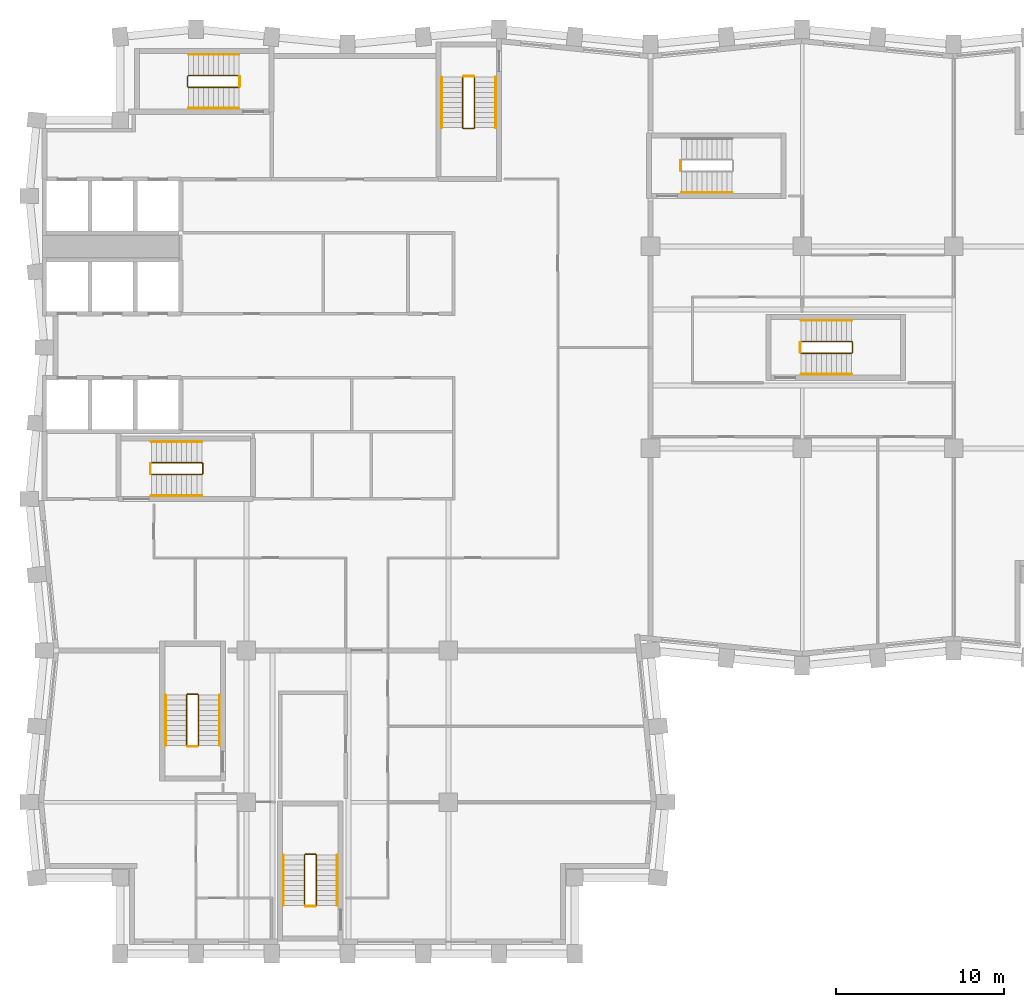
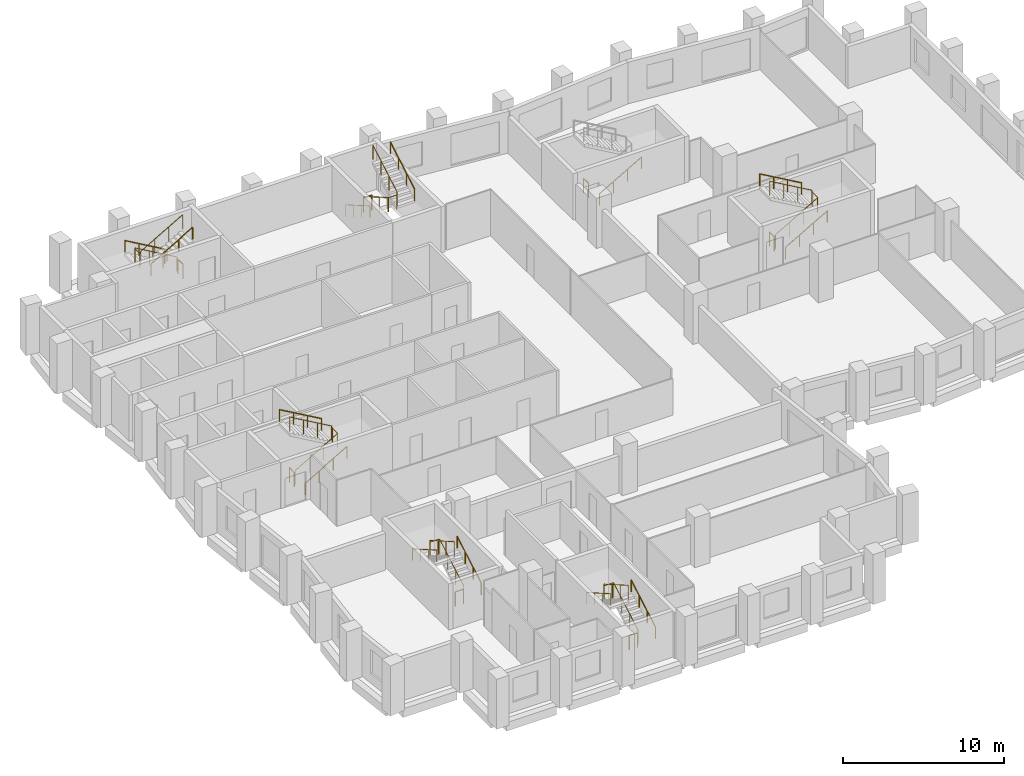
# One storey, part 9 of 10: 26 railings.
"""IFC4 building model written with IfcOpenShell, lengths in metres."""

from ifc_helpers import new_model, si_unit, direction, frame, origin, origin_2d, place, context, subcontext, project, spatial, circle, extrude, material, type_object, element, save


model = new_model("IFC4")

# Units and contexts
model_context = context("Model", 3, precision=1e-05, world=origin(), true_north=direction((0.0, 1.0)))
body_context = subcontext(model_context, "Body", "Model", "MODEL_VIEW")
ifc_project = project(units=[si_unit("LENGTHUNIT", "METRE"), si_unit("AREAUNIT", "SQUARE_METRE"), si_unit("VOLUMEUNIT", "CUBIC_METRE"), si_unit("PLANEANGLEUNIT", "RADIAN"), si_unit("MASSUNIT", "GRAM", prefix="KILO")], contexts=[model_context])

# Site, building, storey
site_placement = place(None, origin())
site = spatial("IfcSite", under=ifc_project, at=site_placement, CompositionType="ELEMENT")
building_placement = place(site_placement, origin())
building = spatial("IfcBuilding", under=site, at=building_placement, Name="Brondeck Convention Tower", CompositionType="ELEMENT")
storey_placement = place(building_placement, frame((0.0, 0.0, 158.60009765625)))
storey = spatial("IfcBuildingStorey", under=building, at=storey_placement, Name="L38", CompositionType="ELEMENT", Elevation=158.60009765625)

# Railings
ifc_material = material(Name="Steel S355", Category="steel")
railing_type_1 = type_object("IfcRailingType", Name="Stair guard 1100", PredefinedType="GUARDRAIL", material=ifc_material)
railing_1_placement = place(storey_placement, frame((6.35009765625, 37.449951171875, 0.172607421875)))
element("IfcRailing", 1, at=railing_1_placement, inside=storey, type_object=railing_type_1, Name="L38 ST-1 stair guard 1", PredefinedType="GUARDRAIL", context=body_context, shape_type="SweptSolid", body=[
    extrude(circle(Radius=0.02392578125, at=origin_2d()), frame((0.0, 0.0, 1.076171875), z_axis=(0.866619684472, 0.0, 0.498969260062), x_axis=(0.0, 1.0, 0.0)), (0.0, 0.0, 1.0), 3.461669921875),
    extrude(circle(Radius=0.02392578125, at=origin_2d()), frame((3.0, 0.0, 2.80322265625), z_axis=(0.705375805398, 0.708833529934, 0.0), x_axis=(-0.708833529934, 0.705375805398, 0.0)), (0.0, 0.0, 1.0), 0.070556640625),
    extrude(circle(Radius=0.02392578125, at=origin_2d()), frame((3.0498046875, 0.050048828125, 2.80322265625), z_axis=(0.0, 1.0, 0.0), x_axis=(-1.0, 0.0, 0.0)), (0.0, 0.0, 1.0), 0.60009765625),
    extrude(circle(Radius=0.02392578125, at=origin_2d()), frame((3.0498046875, 0.650146484375, 2.80322265625), z_axis=(-0.26715648603, 0.26715648603, 0.925880566782), x_axis=(-0.707106781187, -0.707106781187, 0.0)), (0.0, 0.0, 1.0), 0.1865234375),
    extrude(circle(Radius=0.02392578125, at=origin_2d()), frame((3.0, 0.699951171875, 2.97607421875), z_axis=(-0.866619684472, 0.0, 0.498969260062), x_axis=(0.0, -1.0, 0.0)), (0.0, 0.0, 1.0), 3.461669921875),
    extrude(circle(Radius=0.02099609375, at=origin_2d()), origin(), (0.0, 0.0, 1.0), 1.052001953125),
    extrude(circle(Radius=0.02099609375, at=origin_2d()), frame((1.0, 0.0, 0.57568359375)), (0.0, 0.0, 1.0), 1.052001953125),
    extrude(circle(Radius=0.02099609375, at=origin_2d()), frame((2.0, 0.0, 1.151611328125)), (0.0, 0.0, 1.0), 1.052001953125),
    extrude(circle(Radius=0.02099609375, at=origin_2d()), frame((3.0, 0.0, 1.727294921875)), (0.0, 0.0, 1.0), 1.052001953125),
    extrude(circle(Radius=0.02099609375, at=origin_2d()), frame((3.0498046875, 0.050048828125, 1.727294921875)), (0.0, 0.0, 1.0), 1.052001953125),
    extrude(circle(Radius=0.02099609375, at=origin_2d()), frame((3.0498046875, 0.650146484375, 1.727294921875)), (0.0, 0.0, 1.0), 1.052001953125),
    extrude(circle(Radius=0.02099609375, at=origin_2d()), frame((3.0, 0.699951171875, 1.89990234375)), (0.0, 0.0, 1.0), 1.052001953125),
    extrude(circle(Radius=0.02099609375, at=origin_2d()), frame((2.0, 0.699951171875, 2.4755859375)), (0.0, 0.0, 1.0), 1.052001953125),
    extrude(circle(Radius=0.02099609375, at=origin_2d()), frame((1.0, 0.699951171875, 3.051513671875)), (0.0, 0.0, 1.0), 1.052001953125),
    extrude(circle(Radius=0.02099609375, at=origin_2d()), frame((0.0, 0.699951171875, 3.627197265625)), (0.0, 0.0, 1.0), 1.052001953125),
])
railing_2_placement = place(storey_placement, frame((6.300048828125, 37.5, 0.0)))
element("IfcRailing", 2, at=railing_2_placement, inside=storey, type_object=railing_type_1, Name="L38 ST-1 stair guard 2", PredefinedType="GUARDRAIL", context=body_context, shape_type="SweptSolid", body=[
    extrude(circle(Radius=0.02392578125, at=origin_2d()), frame((0.0, 0.0, 1.076171875), z_axis=(0.0, 1.0, 0.0), x_axis=(-1.0, 0.0, 0.0)), (0.0, 0.0, 1.0), 0.60009765625),
    extrude(circle(Radius=0.02099609375, at=origin_2d()), origin(), (0.0, 0.0, 1.0), 1.052001953125),
    extrude(circle(Radius=0.02099609375, at=origin_2d()), frame((0.0, 0.60009765625, 0.0)), (0.0, 0.0, 1.0), 1.052001953125),
])
railing_3_placement = place(storey_placement, frame((24.85009765625, 61.050048828125, 0.172607421875)))
element("IfcRailing", 3, at=railing_3_placement, inside=storey, type_object=railing_type_1, Name="L38 ST-2 stair guard 1", PredefinedType="GUARDRAIL", context=body_context, shape_type="SweptSolid", body=[
    extrude(circle(Radius=0.02392578125, at=origin_2d()), frame((0.0, 0.0, 1.076171875), z_axis=(0.0, -0.866619684472, 0.498969260062), x_axis=(1.0, 0.0, 0.0)), (0.0, 0.0, 1.0), 3.461669921875),
    extrude(circle(Radius=0.02392578125, at=origin_2d()), frame((0.0, -3.0, 2.80322265625), z_axis=(0.705375805398, -0.708833529934, 0.0), x_axis=(0.708833529934, 0.705375805398, 0.0)), (0.0, 0.0, 1.0), 0.070556640625),
    extrude(circle(Radius=0.02392578125, at=origin_2d()), frame((0.0498046875, -3.050048828125, 2.80322265625), z_axis=(1.0, 0.0, 0.0), x_axis=(0.0, 1.0, 0.0)), (0.0, 0.0, 1.0), 0.60009765625),
    extrude(circle(Radius=0.02392578125, at=origin_2d()), frame((0.64990234375, -3.050048828125, 2.80322265625), z_axis=(0.268277960024, 0.268277960024, 0.925231793839), x_axis=(-0.707106781187, 0.707106781187, 0.0)), (0.0, 0.0, 1.0), 0.1865234375),
    extrude(circle(Radius=0.02392578125, at=origin_2d()), frame((0.699951171875, -3.0, 2.97607421875), z_axis=(0.0, 0.866619684472, 0.498969260062), x_axis=(-1.0, 0.0, 0.0)), (0.0, 0.0, 1.0), 3.461669921875),
    extrude(circle(Radius=0.02099609375, at=origin_2d()), origin(), (0.0, 0.0, 1.0), 1.052001953125),
    extrude(circle(Radius=0.02099609375, at=origin_2d()), frame((0.0, -1.0, 0.57568359375)), (0.0, 0.0, 1.0), 1.052001953125),
    extrude(circle(Radius=0.02099609375, at=origin_2d()), frame((0.0, -2.0, 1.151611328125)), (0.0, 0.0, 1.0), 1.052001953125),
    extrude(circle(Radius=0.02099609375, at=origin_2d()), frame((0.0, -3.0, 1.727294921875)), (0.0, 0.0, 1.0), 1.052001953125),
    extrude(circle(Radius=0.02099609375, at=origin_2d()), frame((0.0498046875, -3.050048828125, 1.727294921875)), (0.0, 0.0, 1.0), 1.052001953125),
    extrude(circle(Radius=0.02099609375, at=origin_2d()), frame((0.64990234375, -3.050048828125, 1.727294921875)), (0.0, 0.0, 1.0), 1.052001953125),
    extrude(circle(Radius=0.02099609375, at=origin_2d()), frame((0.699951171875, -3.0, 1.89990234375)), (0.0, 0.0, 1.0), 1.052001953125),
    extrude(circle(Radius=0.02099609375, at=origin_2d()), frame((0.699951171875, -2.0, 2.4755859375)), (0.0, 0.0, 1.0), 1.052001953125),
    extrude(circle(Radius=0.02099609375, at=origin_2d()), frame((0.699951171875, -1.0, 3.051513671875)), (0.0, 0.0, 1.0), 1.052001953125),
    extrude(circle(Radius=0.02099609375, at=origin_2d()), frame((0.699951171875, 0.0, 3.627197265625)), (0.0, 0.0, 1.0), 1.052001953125),
])
railing_4_placement = place(storey_placement, frame((24.89990234375, 61.10009765625, 0.0)))
element("IfcRailing", 4, at=railing_4_placement, inside=storey, type_object=railing_type_1, Name="L38 ST-2 stair guard 2", PredefinedType="GUARDRAIL", context=body_context, shape_type="SweptSolid", body=[
    extrude(circle(Radius=0.02392578125, at=origin_2d()), frame((0.0, 0.0, 1.076171875), z_axis=(1.0, 0.0, 0.0), x_axis=(0.0, 1.0, 0.0)), (0.0, 0.0, 1.0), 0.60009765625),
    extrude(circle(Radius=0.02099609375, at=origin_2d()), origin(), (0.0, 0.0, 1.0), 1.052001953125),
    extrude(circle(Radius=0.02099609375, at=origin_2d()), frame((0.60009765625, 0.0, 0.0)), (0.0, 0.0, 1.0), 1.052001953125),
])
railing_5_placement = place(storey_placement, frame((11.550048828125, 61.14990234375, 0.172607421875)))
element("IfcRailing", 5, at=railing_5_placement, inside=storey, type_object=railing_type_1, Name="L38 ST-3 stair guard 1", PredefinedType="GUARDRAIL", context=body_context, shape_type="SweptSolid", body=[
    extrude(circle(Radius=0.02392578125, at=origin_2d()), frame((0.0, 0.0, 1.076171875), z_axis=(-0.866619684472, 0.0, 0.498969260062), x_axis=(0.0, -1.0, 0.0)), (0.0, 0.0, 1.0), 3.461669921875),
    extrude(circle(Radius=0.02392578125, at=origin_2d()), frame((-3.0, 0.0, 2.80322265625), z_axis=(-0.708833529934, -0.705375805398, 0.0), x_axis=(0.705375805398, -0.708833529934, 0.0)), (0.0, 0.0, 1.0), 0.070556640625),
    extrude(circle(Radius=0.02392578125, at=origin_2d()), frame((-3.050048828125, -0.0498046875, 2.80322265625), z_axis=(0.0, -1.0, 0.0), x_axis=(1.0, 0.0, 0.0)), (0.0, 0.0, 1.0), 0.60009765625),
    extrude(circle(Radius=0.02392578125, at=origin_2d()), frame((-3.050048828125, -0.64990234375, 2.80322265625), z_axis=(0.268277960024, -0.268277960024, 0.925231793839), x_axis=(0.707106781187, 0.707106781187, 0.0)), (0.0, 0.0, 1.0), 0.1865234375),
    extrude(circle(Radius=0.02392578125, at=origin_2d()), frame((-3.0, -0.699951171875, 2.97607421875), z_axis=(0.866619684472, 0.0, 0.498969260062), x_axis=(0.0, 1.0, 0.0)), (0.0, 0.0, 1.0), 3.461669921875),
    extrude(circle(Radius=0.02099609375, at=origin_2d()), origin(), (0.0, 0.0, 1.0), 1.052001953125),
    extrude(circle(Radius=0.02099609375, at=origin_2d()), frame((-1.0, 0.0, 0.57568359375)), (0.0, 0.0, 1.0), 1.052001953125),
    extrude(circle(Radius=0.02099609375, at=origin_2d()), frame((-2.0, 0.0, 1.151611328125)), (0.0, 0.0, 1.0), 1.052001953125),
    extrude(circle(Radius=0.02099609375, at=origin_2d()), frame((-3.0, 0.0, 1.727294921875)), (0.0, 0.0, 1.0), 1.052001953125),
    extrude(circle(Radius=0.02099609375, at=origin_2d()), frame((-3.050048828125, -0.0498046875, 1.727294921875)), (0.0, 0.0, 1.0), 1.052001953125),
    extrude(circle(Radius=0.02099609375, at=origin_2d()), frame((-3.050048828125, -0.64990234375, 1.727294921875)), (0.0, 0.0, 1.0), 1.052001953125),
    extrude(circle(Radius=0.02099609375, at=origin_2d()), frame((-3.0, -0.699951171875, 1.89990234375)), (0.0, 0.0, 1.0), 1.052001953125),
    extrude(circle(Radius=0.02099609375, at=origin_2d()), frame((-2.0, -0.699951171875, 2.4755859375)), (0.0, 0.0, 1.0), 1.052001953125),
    extrude(circle(Radius=0.02099609375, at=origin_2d()), frame((-1.0, -0.699951171875, 3.051513671875)), (0.0, 0.0, 1.0), 1.052001953125),
    extrude(circle(Radius=0.02099609375, at=origin_2d()), frame((0.0, -0.699951171875, 3.627197265625)), (0.0, 0.0, 1.0), 1.052001953125),
])
railing_6_placement = place(storey_placement, frame((11.60009765625, 61.10009765625, 0.0)))
element("IfcRailing", 6, at=railing_6_placement, inside=storey, type_object=railing_type_1, Name="L38 ST-3 stair guard 2", PredefinedType="GUARDRAIL", context=body_context, shape_type="SweptSolid", body=[
    extrude(circle(Radius=0.02392578125, at=origin_2d()), frame((0.0, 0.0, 1.076171875), z_axis=(0.0, -1.0, 0.0), x_axis=(1.0, 0.0, 0.0)), (0.0, 0.0, 1.0), 0.60009765625),
    extrude(circle(Radius=0.02099609375, at=origin_2d()), origin(), (0.0, 0.0, 1.0), 1.052001953125),
    extrude(circle(Radius=0.02099609375, at=origin_2d()), frame((0.0, -0.60009765625, 0.0)), (0.0, 0.0, 1.0), 1.052001953125),
])
railing_7_placement = place(storey_placement, frame((37.800048828125, 55.5, 0.0)))
element("IfcRailing", 7, at=railing_7_placement, inside=storey, type_object=railing_type_1, Name="L38 ST-AE stair guard 2", PredefinedType="GUARDRAIL", context=body_context, shape_type="SweptSolid", body=[
    extrude(circle(Radius=0.02392578125, at=origin_2d()), frame((0.0, 0.0, 1.076171875), z_axis=(0.0, 1.0, 0.0), x_axis=(-1.0, 0.0, 0.0)), (0.0, 0.0, 1.0), 0.60009765625),
    extrude(circle(Radius=0.02099609375, at=origin_2d()), origin(), (0.0, 0.0, 1.0), 1.052001953125),
    extrude(circle(Radius=0.02099609375, at=origin_2d()), frame((0.0, 0.60009765625, 0.0)), (0.0, 0.0, 1.0), 1.052001953125),
])
railing_8_placement = place(storey_placement, frame((9.14990234375, 21.35009765625, 0.172607421875)))
element("IfcRailing", 8, at=railing_8_placement, inside=storey, type_object=railing_type_1, Name="L38 ST-BE stair guard 1", PredefinedType="GUARDRAIL", context=body_context, shape_type="SweptSolid", body=[
    extrude(circle(Radius=0.02392578125, at=origin_2d()), frame((0.0, 0.0, 1.076171875), z_axis=(0.0, 0.866619684472, 0.498969260062), x_axis=(-1.0, 0.0, 0.0)), (0.0, 0.0, 1.0), 3.461669921875),
    extrude(circle(Radius=0.02392578125, at=origin_2d()), frame((0.0, 3.0, 2.80322265625), z_axis=(-0.707106781187, 0.707106781187, 0.0), x_axis=(-0.707106781187, -0.707106781187, 0.0)), (0.0, 0.0, 1.0), 0.0703125),
    extrude(circle(Radius=0.02392578125, at=origin_2d()), frame((-0.0498046875, 3.0498046875, 2.80322265625), z_axis=(-1.0, 0.0, 0.0), x_axis=(0.0, -1.0, 0.0)), (0.0, 0.0, 1.0), 0.60009765625),
    extrude(circle(Radius=0.02392578125, at=origin_2d()), frame((-0.64990234375, 3.0498046875, 2.80322265625), z_axis=(-0.268371968888, -0.267062837333, 0.925556009775), x_axis=(0.705375805398, -0.708833529934, 0.0)), (0.0, 0.0, 1.0), 0.1865234375),
    extrude(circle(Radius=0.02392578125, at=origin_2d()), frame((-0.699951171875, 3.0, 2.97607421875), z_axis=(0.0, -0.866619684472, 0.498969260062), x_axis=(1.0, 0.0, 0.0)), (0.0, 0.0, 1.0), 3.461669921875),
    extrude(circle(Radius=0.02099609375, at=origin_2d()), origin(), (0.0, 0.0, 1.0), 1.052001953125),
    extrude(circle(Radius=0.02099609375, at=origin_2d()), frame((0.0, 1.0, 0.57568359375)), (0.0, 0.0, 1.0), 1.052001953125),
    extrude(circle(Radius=0.02099609375, at=origin_2d()), frame((0.0, 2.0, 1.151611328125)), (0.0, 0.0, 1.0), 1.052001953125),
    extrude(circle(Radius=0.02099609375, at=origin_2d()), frame((0.0, 3.0, 1.727294921875)), (0.0, 0.0, 1.0), 1.052001953125),
    extrude(circle(Radius=0.02099609375, at=origin_2d()), frame((-0.0498046875, 3.0498046875, 1.727294921875)), (0.0, 0.0, 1.0), 1.052001953125),
    extrude(circle(Radius=0.02099609375, at=origin_2d()), frame((-0.64990234375, 3.0498046875, 1.727294921875)), (0.0, 0.0, 1.0), 1.052001953125),
    extrude(circle(Radius=0.02099609375, at=origin_2d()), frame((-0.699951171875, 3.0, 1.89990234375)), (0.0, 0.0, 1.0), 1.052001953125),
    extrude(circle(Radius=0.02099609375, at=origin_2d()), frame((-0.699951171875, 2.0, 2.4755859375)), (0.0, 0.0, 1.0), 1.052001953125),
    extrude(circle(Radius=0.02099609375, at=origin_2d()), frame((-0.699951171875, 1.0, 3.051513671875)), (0.0, 0.0, 1.0), 1.052001953125),
    extrude(circle(Radius=0.02099609375, at=origin_2d()), frame((-0.699951171875, 0.0, 3.627197265625)), (0.0, 0.0, 1.0), 1.052001953125),
])
railing_9_placement = place(storey_placement, frame((9.10009765625, 21.300048828125, 0.0)))
element("IfcRailing", 9, at=railing_9_placement, inside=storey, type_object=railing_type_1, Name="L38 ST-BE stair guard 2", PredefinedType="GUARDRAIL", context=body_context, shape_type="SweptSolid", body=[
    extrude(circle(Radius=0.02392578125, at=origin_2d()), frame((0.0, 0.0, 1.076171875), z_axis=(-1.0, 0.0, 0.0), x_axis=(0.0, -1.0, 0.0)), (0.0, 0.0, 1.0), 0.60009765625),
    extrude(circle(Radius=0.02099609375, at=origin_2d()), origin(), (0.0, 0.0, 1.0), 1.052001953125),
    extrude(circle(Radius=0.02099609375, at=origin_2d()), frame((-0.60009765625, 0.0, 0.0)), (0.0, 0.0, 1.0), 1.052001953125),
])
railing_10_placement = place(storey_placement, frame((44.949951171875, 44.64990234375, 0.172607421875)))
element("IfcRailing", 10, at=railing_10_placement, inside=storey, type_object=railing_type_1, Name="L38 ST-AF stair guard 1", PredefinedType="GUARDRAIL", context=body_context, shape_type="SweptSolid", body=[
    extrude(circle(Radius=0.02392578125, at=origin_2d()), frame((0.0, 0.0, 1.076171875), z_axis=(0.866619684472, 0.0, 0.498969260062), x_axis=(0.0, 1.0, 0.0)), (0.0, 0.0, 1.0), 3.461669921875),
    extrude(circle(Radius=0.02392578125, at=origin_2d()), frame((3.0, 0.0, 2.80322265625), z_axis=(0.707106781187, 0.707106781187, 0.0), x_axis=(-0.707106781187, 0.707106781187, 0.0)), (0.0, 0.0, 1.0), 0.07080078125),
    extrude(circle(Radius=0.02392578125, at=origin_2d()), frame((3.050048828125, 0.050048828125, 2.80322265625), z_axis=(0.0, 1.0, 0.0), x_axis=(-1.0, 0.0, 0.0)), (0.0, 0.0, 1.0), 0.60009765625),
    extrude(circle(Radius=0.02392578125, at=origin_2d()), frame((3.050048828125, 0.650146484375, 2.80322265625), z_axis=(-0.268277960024, 0.268277960024, 0.925231793839), x_axis=(-0.707106781187, -0.707106781187, 0.0)), (0.0, 0.0, 1.0), 0.1865234375),
    extrude(circle(Radius=0.02392578125, at=origin_2d()), frame((3.0, 0.7001953125, 2.97607421875), z_axis=(-0.866619684472, 0.0, 0.498969260062), x_axis=(0.0, -1.0, 0.0)), (0.0, 0.0, 1.0), 3.461669921875),
    extrude(circle(Radius=0.02099609375, at=origin_2d()), origin(), (0.0, 0.0, 1.0), 1.052001953125),
    extrude(circle(Radius=0.02099609375, at=origin_2d()), frame((1.0, 0.0, 0.57568359375)), (0.0, 0.0, 1.0), 1.052001953125),
    extrude(circle(Radius=0.02099609375, at=origin_2d()), frame((2.0, 0.0, 1.151611328125)), (0.0, 0.0, 1.0), 1.052001953125),
    extrude(circle(Radius=0.02099609375, at=origin_2d()), frame((3.0, 0.0, 1.727294921875)), (0.0, 0.0, 1.0), 1.052001953125),
    extrude(circle(Radius=0.02099609375, at=origin_2d()), frame((3.050048828125, 0.050048828125, 1.727294921875)), (0.0, 0.0, 1.0), 1.052001953125),
    extrude(circle(Radius=0.02099609375, at=origin_2d()), frame((3.050048828125, 0.650146484375, 1.727294921875)), (0.0, 0.0, 1.0), 1.052001953125),
    extrude(circle(Radius=0.02099609375, at=origin_2d()), frame((3.0, 0.7001953125, 1.89990234375)), (0.0, 0.0, 1.0), 1.052001953125),
    extrude(circle(Radius=0.02099609375, at=origin_2d()), frame((2.0, 0.7001953125, 2.4755859375)), (0.0, 0.0, 1.0), 1.052001953125),
    extrude(circle(Radius=0.02099609375, at=origin_2d()), frame((1.0, 0.7001953125, 3.051513671875)), (0.0, 0.0, 1.0), 1.052001953125),
    extrude(circle(Radius=0.02099609375, at=origin_2d()), frame((0.0, 0.7001953125, 3.627197265625)), (0.0, 0.0, 1.0), 1.052001953125),
])
railing_11_placement = place(storey_placement, frame((44.89990234375, 44.699951171875, 0.0)))
element("IfcRailing", 11, at=railing_11_placement, inside=storey, type_object=railing_type_1, Name="L38 ST-AF stair guard 2", PredefinedType="GUARDRAIL", context=body_context, shape_type="SweptSolid", body=[
    extrude(circle(Radius=0.02392578125, at=origin_2d()), frame((0.0, 0.0, 1.076171875), z_axis=(0.0, 1.0, 0.0), x_axis=(-1.0, 0.0, 0.0)), (0.0, 0.0, 1.0), 0.60009765625),
    extrude(circle(Radius=0.02099609375, at=origin_2d()), origin(), (0.0, 0.0, 1.0), 1.052001953125),
    extrude(circle(Radius=0.02099609375, at=origin_2d()), frame((0.0, 0.60009765625, 0.0)), (0.0, 0.0, 1.0), 1.052001953125),
])
railing_12_placement = place(storey_placement, frame((16.14990234375, 11.85009765625, 0.172607421875)))
element("IfcRailing", 12, at=railing_12_placement, inside=storey, type_object=railing_type_1, Name="L38 ST-BF stair guard 1", PredefinedType="GUARDRAIL", context=body_context, shape_type="SweptSolid", body=[
    extrude(circle(Radius=0.02392578125, at=origin_2d()), frame((0.0, 0.0, 1.076171875), z_axis=(0.0, 0.866619684472, 0.498969260062), x_axis=(-1.0, 0.0, 0.0)), (0.0, 0.0, 1.0), 3.461669921875),
    extrude(circle(Radius=0.02392578125, at=origin_2d()), frame((0.0, 3.0, 2.80322265625), z_axis=(-0.707106781187, 0.707106781187, 0.0), x_axis=(-0.707106781187, -0.707106781187, 0.0)), (0.0, 0.0, 1.0), 0.0703125),
    extrude(circle(Radius=0.02392578125, at=origin_2d()), frame((-0.0498046875, 3.0498046875, 2.80322265625), z_axis=(-1.0, 0.0, 0.0), x_axis=(0.0, -1.0, 0.0)), (0.0, 0.0, 1.0), 0.60009765625),
    extrude(circle(Radius=0.02392578125, at=origin_2d()), frame((-0.64990234375, 3.0498046875, 2.80322265625), z_axis=(-0.268371968888, -0.267062837333, 0.925556009775), x_axis=(0.705375805398, -0.708833529934, 0.0)), (0.0, 0.0, 1.0), 0.1865234375),
    extrude(circle(Radius=0.02392578125, at=origin_2d()), frame((-0.699951171875, 3.0, 2.97607421875), z_axis=(0.0, -0.866619684472, 0.498969260062), x_axis=(1.0, 0.0, 0.0)), (0.0, 0.0, 1.0), 3.461669921875),
    extrude(circle(Radius=0.02099609375, at=origin_2d()), origin(), (0.0, 0.0, 1.0), 1.052001953125),
    extrude(circle(Radius=0.02099609375, at=origin_2d()), frame((0.0, 1.0, 0.57568359375)), (0.0, 0.0, 1.0), 1.052001953125),
    extrude(circle(Radius=0.02099609375, at=origin_2d()), frame((0.0, 2.0, 1.151611328125)), (0.0, 0.0, 1.0), 1.052001953125),
    extrude(circle(Radius=0.02099609375, at=origin_2d()), frame((0.0, 3.0, 1.727294921875)), (0.0, 0.0, 1.0), 1.052001953125),
    extrude(circle(Radius=0.02099609375, at=origin_2d()), frame((-0.0498046875, 3.0498046875, 1.727294921875)), (0.0, 0.0, 1.0), 1.052001953125),
    extrude(circle(Radius=0.02099609375, at=origin_2d()), frame((-0.64990234375, 3.0498046875, 1.727294921875)), (0.0, 0.0, 1.0), 1.052001953125),
    extrude(circle(Radius=0.02099609375, at=origin_2d()), frame((-0.699951171875, 3.0, 1.89990234375)), (0.0, 0.0, 1.0), 1.052001953125),
    extrude(circle(Radius=0.02099609375, at=origin_2d()), frame((-0.699951171875, 2.0, 2.4755859375)), (0.0, 0.0, 1.0), 1.052001953125),
    extrude(circle(Radius=0.02099609375, at=origin_2d()), frame((-0.699951171875, 1.0, 3.051513671875)), (0.0, 0.0, 1.0), 1.052001953125),
    extrude(circle(Radius=0.02099609375, at=origin_2d()), frame((-0.699951171875, 0.0, 3.627197265625)), (0.0, 0.0, 1.0), 1.052001953125),
])
railing_13_placement = place(storey_placement, frame((16.10009765625, 11.800048828125, 0.0)))
element("IfcRailing", 13, at=railing_13_placement, inside=storey, type_object=railing_type_1, Name="L38 ST-BF stair guard 2", PredefinedType="GUARDRAIL", context=body_context, shape_type="SweptSolid", body=[
    extrude(circle(Radius=0.02392578125, at=origin_2d()), frame((0.0, 0.0, 1.076171875), z_axis=(-1.0, 0.0, 0.0), x_axis=(0.0, -1.0, 0.0)), (0.0, 0.0, 1.0), 0.60009765625),
    extrude(circle(Radius=0.02099609375, at=origin_2d()), origin(), (0.0, 0.0, 1.0), 1.052001953125),
    extrude(circle(Radius=0.02099609375, at=origin_2d()), frame((-0.60009765625, 0.0, 0.0)), (0.0, 0.0, 1.0), 1.052001953125),
])
railing_type_2 = type_object("IfcRailingType", Name="Stair handrail", PredefinedType="HANDRAIL", material=ifc_material)
railing_14_placement = place(storey_placement, frame((6.35009765625, 36.199951171875, 0.172607421875)))
element("IfcRailing", 14, at=railing_14_placement, inside=storey, type_object=railing_type_2, Name="L38 ST-1 stair handrail 1", PredefinedType="HANDRAIL", context=body_context, shape_type="SweptSolid", body=[
    extrude(circle(Radius=0.02392578125, at=origin_2d()), frame((0.0, 0.0, 0.8759765625), z_axis=(0.866619684472, 0.0, 0.498969260062), x_axis=(0.0, 1.0, 0.0)), (0.0, 0.0, 1.0), 3.461669921875),
    extrude(circle(Radius=0.02099609375, at=origin_2d()), origin(), (0.0, 0.0, 1.0), 0.851806640625),
    extrude(circle(Radius=0.02099609375, at=origin_2d()), frame((1.0, 0.0, 0.57568359375)), (0.0, 0.0, 1.0), 0.851806640625),
    extrude(circle(Radius=0.02099609375, at=origin_2d()), frame((2.0, 0.0, 1.151611328125)), (0.0, 0.0, 1.0), 0.851806640625),
    extrude(circle(Radius=0.02099609375, at=origin_2d()), frame((3.0, 0.0, 1.727294921875)), (0.0, 0.0, 1.0), 0.851806640625),
])
railing_15_placement = place(storey_placement, frame((9.35009765625, 39.39990234375, 2.072509765625)))
element("IfcRailing", 15, at=railing_15_placement, inside=storey, type_object=railing_type_2, Name="L38 ST-1 stair handrail 2", PredefinedType="HANDRAIL", context=body_context, shape_type="SweptSolid", body=[
    extrude(circle(Radius=0.02392578125, at=origin_2d()), frame((0.0, 0.0, 0.8759765625), z_axis=(-0.866619684472, 0.0, 0.498969260062), x_axis=(0.0, -1.0, 0.0)), (0.0, 0.0, 1.0), 3.461669921875),
    extrude(circle(Radius=0.02099609375, at=origin_2d()), origin(), (0.0, 0.0, 1.0), 0.851806640625),
    extrude(circle(Radius=0.02099609375, at=origin_2d()), frame((-1.0, 0.0, 0.57568359375)), (0.0, 0.0, 1.0), 0.851806640625),
    extrude(circle(Radius=0.02099609375, at=origin_2d()), frame((-2.0, 0.0, 1.151611328125)), (0.0, 0.0, 1.0), 0.851806640625),
    extrude(circle(Radius=0.02099609375, at=origin_2d()), frame((-3.0, 0.0, 1.727294921875)), (0.0, 0.0, 1.0), 0.851806640625),
])
railing_16_placement = place(storey_placement, frame((23.60009765625, 61.050048828125, 0.172607421875)))
element("IfcRailing", 16, at=railing_16_placement, inside=storey, type_object=railing_type_2, Name="L38 ST-2 stair handrail 1", PredefinedType="HANDRAIL", context=body_context, shape_type="SweptSolid", body=[
    extrude(circle(Radius=0.02392578125, at=origin_2d()), frame((0.0, 0.0, 0.8759765625), z_axis=(0.0, -0.866619684472, 0.498969260062), x_axis=(1.0, 0.0, 0.0)), (0.0, 0.0, 1.0), 3.461669921875),
    extrude(circle(Radius=0.02099609375, at=origin_2d()), origin(), (0.0, 0.0, 1.0), 0.851806640625),
    extrude(circle(Radius=0.02099609375, at=origin_2d()), frame((0.0, -1.0, 0.57568359375)), (0.0, 0.0, 1.0), 0.851806640625),
    extrude(circle(Radius=0.02099609375, at=origin_2d()), frame((0.0, -2.0, 1.151611328125)), (0.0, 0.0, 1.0), 0.851806640625),
    extrude(circle(Radius=0.02099609375, at=origin_2d()), frame((0.0, -3.0, 1.727294921875)), (0.0, 0.0, 1.0), 0.851806640625),
])
railing_17_placement = place(storey_placement, frame((26.800048828125, 58.050048828125, 2.072509765625)))
element("IfcRailing", 17, at=railing_17_placement, inside=storey, type_object=railing_type_2, Name="L38 ST-2 stair handrail 2", PredefinedType="HANDRAIL", context=body_context, shape_type="SweptSolid", body=[
    extrude(circle(Radius=0.02392578125, at=origin_2d()), frame((0.0, 0.0, 0.8759765625), z_axis=(0.0, 0.866619684472, 0.498969260062), x_axis=(-1.0, 0.0, 0.0)), (0.0, 0.0, 1.0), 3.461669921875),
    extrude(circle(Radius=0.02099609375, at=origin_2d()), origin(), (0.0, 0.0, 1.0), 0.851806640625),
    extrude(circle(Radius=0.02099609375, at=origin_2d()), frame((0.0, 1.0, 0.57568359375)), (0.0, 0.0, 1.0), 0.851806640625),
    extrude(circle(Radius=0.02099609375, at=origin_2d()), frame((0.0, 2.0, 1.151611328125)), (0.0, 0.0, 1.0), 0.851806640625),
    extrude(circle(Radius=0.02099609375, at=origin_2d()), frame((0.0, 3.0, 1.727294921875)), (0.0, 0.0, 1.0), 0.851806640625),
])
railing_18_placement = place(storey_placement, frame((11.550048828125, 62.39990234375, 0.172607421875)))
element("IfcRailing", 18, at=railing_18_placement, inside=storey, type_object=railing_type_2, Name="L38 ST-3 stair handrail 1", PredefinedType="HANDRAIL", context=body_context, shape_type="SweptSolid", body=[
    extrude(circle(Radius=0.02392578125, at=origin_2d()), frame((0.0, 0.0, 0.8759765625), z_axis=(-0.866619684472, 0.0, 0.498969260062), x_axis=(0.0, -1.0, 0.0)), (0.0, 0.0, 1.0), 3.461669921875),
    extrude(circle(Radius=0.02099609375, at=origin_2d()), origin(), (0.0, 0.0, 1.0), 0.851806640625),
    extrude(circle(Radius=0.02099609375, at=origin_2d()), frame((-1.0, 0.0, 0.57568359375)), (0.0, 0.0, 1.0), 0.851806640625),
    extrude(circle(Radius=0.02099609375, at=origin_2d()), frame((-2.0, 0.0, 1.151611328125)), (0.0, 0.0, 1.0), 0.851806640625),
    extrude(circle(Radius=0.02099609375, at=origin_2d()), frame((-3.0, 0.0, 1.727294921875)), (0.0, 0.0, 1.0), 0.851806640625),
])
for number, where, name in (
    (19, (8.550048828125, 59.199951171875, 2.072509765625), "L38 ST-3 stair handrail 2"),
    (20, (37.85009765625, 54.199951171875, 0.172607421875), "L38 ST-AE stair handrail 1"),
):
    element("IfcRailing", number, at=place(storey_placement, frame(where)), inside=storey, type_object=railing_type_2, Name=name, PredefinedType="HANDRAIL", context=body_context, shape_type="SweptSolid", body=[
        extrude(circle(Radius=0.02392578125, at=origin_2d()), frame((0.0, 0.0, 0.8759765625), z_axis=(0.866619684472, 0.0, 0.498969260062), x_axis=(0.0, 1.0, 0.0)), (0.0, 0.0, 1.0), 3.461669921875),
        extrude(circle(Radius=0.02099609375, at=origin_2d()), origin(), (0.0, 0.0, 1.0), 0.851806640625),
        extrude(circle(Radius=0.02099609375, at=origin_2d()), frame((1.0, 0.0, 0.57568359375)), (0.0, 0.0, 1.0), 0.851806640625),
        extrude(circle(Radius=0.02099609375, at=origin_2d()), frame((2.0, 0.0, 1.151611328125)), (0.0, 0.0, 1.0), 0.851806640625),
        extrude(circle(Radius=0.02099609375, at=origin_2d()), frame((3.0, 0.0, 1.727294921875)), (0.0, 0.0, 1.0), 0.851806640625),
    ])
railing_19_placement = place(storey_placement, frame((10.39990234375, 21.35009765625, 0.172607421875)))
element("IfcRailing", 21, at=railing_19_placement, inside=storey, type_object=railing_type_2, Name="L38 ST-BE stair handrail 1", PredefinedType="HANDRAIL", context=body_context, shape_type="SweptSolid", body=[
    extrude(circle(Radius=0.02392578125, at=origin_2d()), frame((0.0, 0.0, 0.8759765625), z_axis=(0.0, 0.866619684472, 0.498969260062), x_axis=(-1.0, 0.0, 0.0)), (0.0, 0.0, 1.0), 3.461669921875),
    extrude(circle(Radius=0.02099609375, at=origin_2d()), origin(), (0.0, 0.0, 1.0), 0.851806640625),
    extrude(circle(Radius=0.02099609375, at=origin_2d()), frame((0.0, 1.0, 0.57568359375)), (0.0, 0.0, 1.0), 0.851806640625),
    extrude(circle(Radius=0.02099609375, at=origin_2d()), frame((0.0, 2.0, 1.151611328125)), (0.0, 0.0, 1.0), 0.851806640625),
    extrude(circle(Radius=0.02099609375, at=origin_2d()), frame((0.0, 3.0, 1.727294921875)), (0.0, 0.0, 1.0), 0.851806640625),
])
railing_20_placement = place(storey_placement, frame((7.199951171875, 24.35009765625, 2.072509765625)))
element("IfcRailing", 22, at=railing_20_placement, inside=storey, type_object=railing_type_2, Name="L38 ST-BE stair handrail 2", PredefinedType="HANDRAIL", context=body_context, shape_type="SweptSolid", body=[
    extrude(circle(Radius=0.02392578125, at=origin_2d()), frame((0.0, 0.0, 0.8759765625), z_axis=(0.0, -0.866619684472, 0.498969260062), x_axis=(1.0, 0.0, 0.0)), (0.0, 0.0, 1.0), 3.461669921875),
    extrude(circle(Radius=0.02099609375, at=origin_2d()), origin(), (0.0, 0.0, 1.0), 0.851806640625),
    extrude(circle(Radius=0.02099609375, at=origin_2d()), frame((0.0, -1.0, 0.57568359375)), (0.0, 0.0, 1.0), 0.851806640625),
    extrude(circle(Radius=0.02099609375, at=origin_2d()), frame((0.0, -2.0, 1.151611328125)), (0.0, 0.0, 1.0), 0.851806640625),
    extrude(circle(Radius=0.02099609375, at=origin_2d()), frame((0.0, -3.0, 1.727294921875)), (0.0, 0.0, 1.0), 0.851806640625),
])
railing_21_placement = place(storey_placement, frame((44.949951171875, 43.39990234375, 0.172607421875)))
element("IfcRailing", 23, at=railing_21_placement, inside=storey, type_object=railing_type_2, Name="L38 ST-AF stair handrail 1", PredefinedType="HANDRAIL", context=body_context, shape_type="SweptSolid", body=[
    extrude(circle(Radius=0.02392578125, at=origin_2d()), frame((0.0, 0.0, 0.8759765625), z_axis=(0.866619684472, 0.0, 0.498969260062), x_axis=(0.0, 1.0, 0.0)), (0.0, 0.0, 1.0), 3.461669921875),
    extrude(circle(Radius=0.02099609375, at=origin_2d()), origin(), (0.0, 0.0, 1.0), 0.851806640625),
    extrude(circle(Radius=0.02099609375, at=origin_2d()), frame((1.0, 0.0, 0.57568359375)), (0.0, 0.0, 1.0), 0.851806640625),
    extrude(circle(Radius=0.02099609375, at=origin_2d()), frame((2.0, 0.0, 1.151611328125)), (0.0, 0.0, 1.0), 0.851806640625),
    extrude(circle(Radius=0.02099609375, at=origin_2d()), frame((3.0, 0.0, 1.727294921875)), (0.0, 0.0, 1.0), 0.851806640625),
])
railing_22_placement = place(storey_placement, frame((47.949951171875, 46.60009765625, 2.072509765625)))
element("IfcRailing", 24, at=railing_22_placement, inside=storey, type_object=railing_type_2, Name="L38 ST-AF stair handrail 2", PredefinedType="HANDRAIL", context=body_context, shape_type="SweptSolid", body=[
    extrude(circle(Radius=0.02392578125, at=origin_2d()), frame((0.0, 0.0, 0.8759765625), z_axis=(-0.866619684472, 0.0, 0.498969260062), x_axis=(0.0, -1.0, 0.0)), (0.0, 0.0, 1.0), 3.461669921875),
    extrude(circle(Radius=0.02099609375, at=origin_2d()), origin(), (0.0, 0.0, 1.0), 0.851806640625),
    extrude(circle(Radius=0.02099609375, at=origin_2d()), frame((-1.0, 0.0, 0.57568359375)), (0.0, 0.0, 1.0), 0.851806640625),
    extrude(circle(Radius=0.02099609375, at=origin_2d()), frame((-2.0, 0.0, 1.151611328125)), (0.0, 0.0, 1.0), 0.851806640625),
    extrude(circle(Radius=0.02099609375, at=origin_2d()), frame((-3.0, 0.0, 1.727294921875)), (0.0, 0.0, 1.0), 0.851806640625),
])
railing_23_placement = place(storey_placement, frame((17.39990234375, 11.85009765625, 0.172607421875)))
element("IfcRailing", 25, at=railing_23_placement, inside=storey, type_object=railing_type_2, Name="L38 ST-BF stair handrail 1", PredefinedType="HANDRAIL", context=body_context, shape_type="SweptSolid", body=[
    extrude(circle(Radius=0.02392578125, at=origin_2d()), frame((0.0, 0.0, 0.8759765625), z_axis=(0.0, 0.866619684472, 0.498969260062), x_axis=(-1.0, 0.0, 0.0)), (0.0, 0.0, 1.0), 3.461669921875),
    extrude(circle(Radius=0.02099609375, at=origin_2d()), origin(), (0.0, 0.0, 1.0), 0.851806640625),
    extrude(circle(Radius=0.02099609375, at=origin_2d()), frame((0.0, 1.0, 0.57568359375)), (0.0, 0.0, 1.0), 0.851806640625),
    extrude(circle(Radius=0.02099609375, at=origin_2d()), frame((0.0, 2.0, 1.151611328125)), (0.0, 0.0, 1.0), 0.851806640625),
    extrude(circle(Radius=0.02099609375, at=origin_2d()), frame((0.0, 3.0, 1.727294921875)), (0.0, 0.0, 1.0), 0.851806640625),
])
railing_24_placement = place(storey_placement, frame((14.199951171875, 14.85009765625, 2.072509765625)))
element("IfcRailing", 26, at=railing_24_placement, inside=storey, type_object=railing_type_2, Name="L38 ST-BF stair handrail 2", PredefinedType="HANDRAIL", context=body_context, shape_type="SweptSolid", body=[
    extrude(circle(Radius=0.02392578125, at=origin_2d()), frame((0.0, 0.0, 0.8759765625), z_axis=(0.0, -0.866619684472, 0.498969260062), x_axis=(1.0, 0.0, 0.0)), (0.0, 0.0, 1.0), 3.461669921875),
    extrude(circle(Radius=0.02099609375, at=origin_2d()), origin(), (0.0, 0.0, 1.0), 0.851806640625),
    extrude(circle(Radius=0.02099609375, at=origin_2d()), frame((0.0, -1.0, 0.57568359375)), (0.0, 0.0, 1.0), 0.851806640625),
    extrude(circle(Radius=0.02099609375, at=origin_2d()), frame((0.0, -2.0, 1.151611328125)), (0.0, 0.0, 1.0), 0.851806640625),
    extrude(circle(Radius=0.02099609375, at=origin_2d()), frame((0.0, -3.0, 1.727294921875)), (0.0, 0.0, 1.0), 0.851806640625),
])

save(model, "model.ifc")
